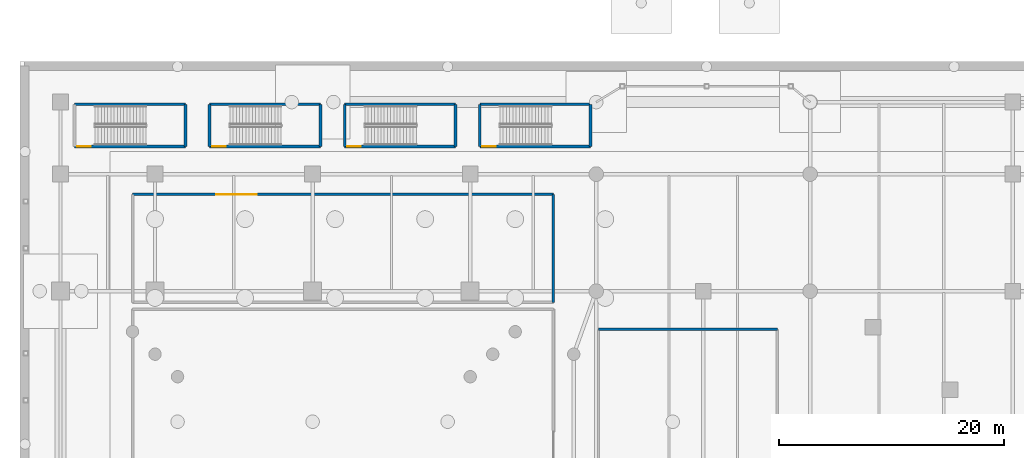
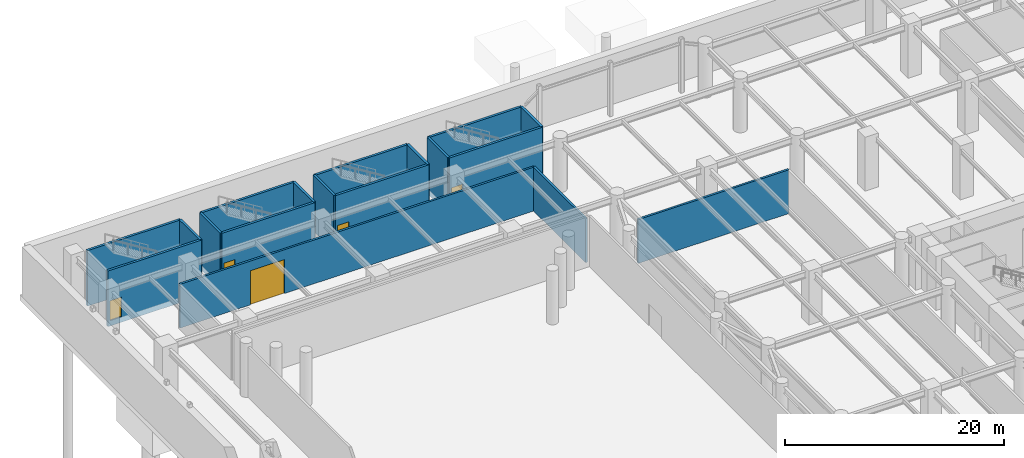
# One storey, part 23 of 37: 18 walls, 5 doors, 5 openings.
"""IFC4 building model written with IfcOpenShell, lengths in metres."""

from ifc_helpers import new_model, si_unit, direction, frame, frame_2d, origin, place, context, subcontext, project, spatial, rectangle, extrude, material, layer, layer_set, type_object, element, fill, save


model = new_model("IFC4")

# Units and contexts
model_context = context("Model", 3, precision=1e-05, world=origin(), true_north=direction((0.0, 1.0)))
body_context = subcontext(model_context, "Body", "Model", "MODEL_VIEW")
ifc_project = project(units=[si_unit("LENGTHUNIT", "METRE"), si_unit("AREAUNIT", "SQUARE_METRE"), si_unit("VOLUMEUNIT", "CUBIC_METRE"), si_unit("PLANEANGLEUNIT", "RADIAN"), si_unit("MASSUNIT", "GRAM", prefix="KILO")], contexts=[model_context])

# Site, building, storey
site_placement = place(None, origin())
site = spatial("IfcSite", under=ifc_project, at=site_placement, CompositionType="ELEMENT")
building_placement = place(site_placement, origin())
building = spatial("IfcBuilding", under=site, at=building_placement, Name="Narakoshi Arena Tower", CompositionType="ELEMENT")
storey_placement = place(building_placement, frame((0.0, 0.0, -6.0)))
storey = spatial("IfcBuildingStorey", under=building, at=storey_placement, Name="B01", CompositionType="ELEMENT", Elevation=-6.0)

# Wall
ifc_material_1 = material(Name="Concrete C40/50", Category="concrete")
ifc_layer_1 = layer(ifc_material_1, 0.219970703125)
ifc_layer_set_1 = layer_set([ifc_layer_1], Name="Concrete C40/50")
wall_type_1 = type_object("IfcWallType", Name="WL-COMP-220", PredefinedType="SOLIDWALL", material=ifc_layer_set_1)
wall_1_placement = place(storey_placement, frame((47.39990234375, 74.60009765625, 0.0), z_axis=(0.0, 0.0, 1.0), x_axis=(0.0, 1.0, 0.0)))
element("IfcWall", 1, at=wall_1_placement, inside=storey, type_object=wall_type_1, Name="B01 Event Loading Support and Rigging Store Wall E", PredefinedType="SOLIDWALL", context=body_context, shape_type="SweptSolid", body=[
    extrude(rectangle(XDim=9.599853515625, YDim=0.219970703125, at=frame_2d((4.7998046875, 0.0))), origin(), (0.0, 0.0, 1.0), 4.885009765625),
])

# Wall, opening, door
wall_2_placement = place(storey_placement, frame((47.39990234375, 84.199951171875, 0.0), z_axis=(0.0, 0.0, 1.0), x_axis=(-1.0, 0.0, 0.0)))
wall_2 = element("IfcWall", 2, at=wall_2_placement, inside=storey, type_object=wall_type_1, Name="B01 Event Loading Support and Rigging Store Wall N", PredefinedType="SOLIDWALL", context=body_context, shape_type="SweptSolid", body=[
    extrude(rectangle(XDim=37.39990234375, YDim=0.219970703125, at=frame_2d((18.699951171875, 0.0))), origin(), (0.0, 0.0, 1.0), 4.885009765625),
])
opening_1_placement = place(wall_2_placement, frame((26.364013671875, 0.0, 0.0)))
opening_1 = element("IfcOpeningElement", 3, at=opening_1_placement, cuts=wall_2, Name="Opening D-14", PredefinedType="OPENING", context=body_context, shape_type="SweptSolid", body=[
    extrude(rectangle(XDim=3.60009765625, YDim=3.800048828125, at=frame_2d((1.800048828125, 1.89990234375))), frame((0.0, 0.119873046875, 0.0), z_axis=(0.0, -1.0, 0.0), x_axis=(1.0, 0.0, 0.0)), (0.0, 0.0, 1.0), 0.239990234375),
])
ifc_material_2 = material(Name="Painted galvanized steel", Category="steel")
door_type_1 = type_object("IfcDoorType", Name="DR-SRV-3600", OperationType="ROLLINGUP", PredefinedType="GATE", material=ifc_material_2)
door_1_placement = place(opening_1_placement, frame((3.60009765625, 0.0, 0.0), z_axis=(0.0, 0.0, 1.0), x_axis=(-1.0, 0.0, 0.0)))
door_1 = element("IfcDoor", 4, at=door_1_placement, inside=storey, type_object=door_type_1, Name="DR-B01-027", OperationType="ROLLINGUP", OverallHeight=3.800048828125, OverallWidth=3.60009765625, PredefinedType="GATE", context=body_context, shape_type="SweptSolid", body=[
    extrude(rectangle(XDim=3.60009765625, YDim=3.800048828125, at=frame_2d((1.800048828125, 1.89990234375))), frame((0.0, 0.02490234375, 0.0), z_axis=(0.0, -1.0, 0.0), x_axis=(1.0, 0.0, 0.0)), (0.0, 0.0, 1.0), 0.050048828125),
])
fill(opening_1, door_1)

# Walls
wall_3_placement = place(storey_placement, frame((67.300048828125, 72.199951171875, 0.0), z_axis=(0.0, 0.0, 1.0), x_axis=(-1.0, 0.0, 0.0)))
element("IfcWall", 5, at=wall_3_placement, inside=storey, type_object=wall_type_1, Name="B01 Sub-Concourse MEP Equipment Plant Room Wall N", PredefinedType="SOLIDWALL", context=body_context, shape_type="SweptSolid", body=[
    extrude(rectangle(XDim=15.900146484375, YDim=0.219970703125, at=frame_2d((7.9501953125, 0.0))), origin(), (0.0, 0.0, 1.0), 4.885009765625),
])
ifc_material_3 = material(Name="Concrete C50/60", Category="concrete")
ifc_layer_2 = layer(ifc_material_3, 0.35009765625)
ifc_layer_set_2 = layer_set([ifc_layer_2], Name="Concrete C50/60")
wall_type_2 = type_object("IfcWallType", Name="WL-SHAFT-350", PredefinedType="SOLIDWALL", material=ifc_layer_set_2)
wall_4_placement = place(storey_placement, frame((14.699951171875, 88.449951171875, -0.60009765625), z_axis=(0.0, 0.0, 1.0), x_axis=(0.0, 1.0, 0.0)))
element("IfcWall", 6, at=wall_4_placement, inside=storey, type_object=wall_type_2, Name="B01 AST5 Enclosure Wall E", PredefinedType="SOLIDWALL", context=body_context, shape_type="SweptSolid", body=[
    extrude(rectangle(XDim=3.75, YDim=0.25, at=frame_2d((1.875, 0.0))), origin(), (0.0, 0.0, 1.0), 6.2001953125),
])
wall_5_placement = place(storey_placement, frame((4.85009765625, 92.199951171875, -0.60009765625), z_axis=(0.0, 0.0, 1.0), x_axis=(1.0, 0.0, 0.0)))
element("IfcWall", 7, at=wall_5_placement, inside=storey, type_object=wall_type_2, Name="B01 AST5 Enclosure Wall B", PredefinedType="SOLIDWALL", context=body_context, shape_type="SweptSolid", body=[
    extrude(rectangle(XDim=9.849853515625, YDim=0.25, at=frame_2d((4.9248046875, 0.0))), origin(), (0.0, 0.0, 1.0), 6.2001953125),
])

# Wall, opening, door
wall_6_placement = place(storey_placement, frame((4.85009765625, 88.449951171875, -0.60009765625), z_axis=(0.0, 0.0, 1.0), x_axis=(1.0, 0.0, 0.0)))
wall_6 = element("IfcWall", 8, at=wall_6_placement, inside=storey, type_object=wall_type_2, Name="B01 AST5 Landing Door Wall", PredefinedType="SOLIDWALL", context=body_context, shape_type="SweptSolid", body=[
    extrude(rectangle(XDim=9.849853515625, YDim=0.25, at=frame_2d((4.9248046875, 0.0))), origin(), (0.0, 0.0, 1.0), 6.2001953125),
])
opening_2_placement = place(wall_6_placement, frame((0.219970703125, 0.0, 0.60009765625)))
opening_2 = element("IfcOpeningElement", 9, at=opening_2_placement, cuts=wall_6, Name="Opening D-03", PredefinedType="OPENING", context=body_context, shape_type="SweptSolid", body=[
    extrude(rectangle(XDim=1.199951171875, YDim=2.199951171875, at=frame_2d((0.60009765625, 1.10009765625))), frame((0.0, 0.135009765625, 0.0), z_axis=(0.0, -1.0, 0.0), x_axis=(1.0, 0.0, 0.0)), (0.0, 0.0, 1.0), 0.27001953125),
])
door_type_2 = type_object("IfcDoorType", Name="DR-STR-1200", OperationType="NOTDEFINED", PredefinedType="USERDEFINED", material=ifc_material_2)
door_2_placement = place(opening_2_placement, origin())
door_2 = element("IfcDoor", 10, at=door_2_placement, inside=storey, type_object=door_type_2, Name="DR-B01-020", ObjectType="EXITDOOR", OperationType="SINGLE_SWING_LEFT", OverallHeight=2.199951171875, OverallWidth=1.199951171875, PredefinedType="USERDEFINED", context=body_context, shape_type="SweptSolid", body=[
    extrude(rectangle(XDim=1.199951171875, YDim=2.199951171875, at=frame_2d((0.60009765625, 1.10009765625))), frame((0.0, 0.02490234375, 0.0), z_axis=(0.0, -1.0, 0.0), x_axis=(1.0, 0.0, 0.0)), (0.0, 0.0, 1.0), 0.050048828125),
])
fill(opening_2, door_2)

# Walls
for number, where, z_axis, x_axis, name in (
    (11, (16.85009765625, 88.449951171875, -0.60009765625), (0.0, 0.0, 1.0), (0.0, 1.0, 0.0), "B01 AST6 Enclosure Wall W"),
    (12, (26.699951171875, 88.449951171875, -0.60009765625), (0.0, 0.0, 1.0), (0.0, 1.0, 0.0), "B01 AST6 Enclosure Wall E"),
):
    element("IfcWall", number, at=place(storey_placement, frame(where, z_axis=z_axis, x_axis=x_axis)), inside=storey, type_object=wall_type_2, Name=name, PredefinedType="SOLIDWALL", context=body_context, shape_type="SweptSolid", body=[
        extrude(rectangle(XDim=3.75, YDim=0.25, at=frame_2d((1.875, 0.0))), origin(), (0.0, 0.0, 1.0), 6.2001953125),
    ])
wall_7_placement = place(storey_placement, frame((16.85009765625, 92.199951171875, -0.60009765625), z_axis=(0.0, 0.0, 1.0), x_axis=(1.0, 0.0, 0.0)))
element("IfcWall", 13, at=wall_7_placement, inside=storey, type_object=wall_type_2, Name="B01 AST6 Enclosure Wall B", PredefinedType="SOLIDWALL", context=body_context, shape_type="SweptSolid", body=[
    extrude(rectangle(XDim=9.849853515625, YDim=0.25, at=frame_2d((4.9248046875, 0.0))), origin(), (0.0, 0.0, 1.0), 6.2001953125),
])

# Wall, opening, door
wall_8_placement = place(storey_placement, frame((16.85009765625, 88.449951171875, -0.60009765625), z_axis=(0.0, 0.0, 1.0), x_axis=(1.0, 0.0, 0.0)))
wall_8 = element("IfcWall", 14, at=wall_8_placement, inside=storey, type_object=wall_type_2, Name="B01 AST6 Landing Door Wall", PredefinedType="SOLIDWALL", context=body_context, shape_type="SweptSolid", body=[
    extrude(rectangle(XDim=9.849853515625, YDim=0.25, at=frame_2d((4.9248046875, 0.0))), origin(), (0.0, 0.0, 1.0), 6.2001953125),
])
opening_3_placement = place(wall_8_placement, frame((0.219970703125, 0.0, 0.60009765625)))
opening_3 = element("IfcOpeningElement", 15, at=opening_3_placement, cuts=wall_8, Name="Opening D-03", PredefinedType="OPENING", context=body_context, shape_type="SweptSolid", body=[
    extrude(rectangle(XDim=1.199951171875, YDim=2.199951171875, at=frame_2d((0.60009765625, 1.10009765625))), frame((0.0, 0.135009765625, 0.0), z_axis=(0.0, -1.0, 0.0), x_axis=(1.0, 0.0, 0.0)), (0.0, 0.0, 1.0), 0.27001953125),
])
door_3_placement = place(opening_3_placement, origin())
door_3 = element("IfcDoor", 16, at=door_3_placement, inside=storey, type_object=door_type_2, Name="DR-B01-021", ObjectType="EXITDOOR", OperationType="SINGLE_SWING_RIGHT", OverallHeight=2.199951171875, OverallWidth=1.199951171875, PredefinedType="USERDEFINED", context=body_context, shape_type="SweptSolid", body=[
    extrude(rectangle(XDim=1.199951171875, YDim=2.199951171875, at=frame_2d((0.60009765625, 1.10009765625))), frame((0.0, 0.02490234375, 0.0), z_axis=(0.0, -1.0, 0.0), x_axis=(1.0, 0.0, 0.0)), (0.0, 0.0, 1.0), 0.050048828125),
])
fill(opening_3, door_3)

# Walls
for number, where, z_axis, x_axis, name in (
    (17, (28.85009765625, 88.449951171875, -0.60009765625), (0.0, 0.0, 1.0), (0.0, 1.0, 0.0), "B01 AST7 Enclosure Wall W"),
    (18, (38.699951171875, 88.449951171875, -0.60009765625), (0.0, 0.0, 1.0), (0.0, 1.0, 0.0), "B01 AST7 Enclosure Wall E"),
):
    element("IfcWall", number, at=place(storey_placement, frame(where, z_axis=z_axis, x_axis=x_axis)), inside=storey, type_object=wall_type_2, Name=name, PredefinedType="SOLIDWALL", context=body_context, shape_type="SweptSolid", body=[
        extrude(rectangle(XDim=3.75, YDim=0.25, at=frame_2d((1.875, 0.0))), origin(), (0.0, 0.0, 1.0), 6.2001953125),
    ])
wall_9_placement = place(storey_placement, frame((28.85009765625, 92.199951171875, -0.60009765625), z_axis=(0.0, 0.0, 1.0), x_axis=(1.0, 0.0, 0.0)))
element("IfcWall", 19, at=wall_9_placement, inside=storey, type_object=wall_type_2, Name="B01 AST7 Enclosure Wall B", PredefinedType="SOLIDWALL", context=body_context, shape_type="SweptSolid", body=[
    extrude(rectangle(XDim=9.849853515625, YDim=0.25, at=frame_2d((4.9248046875, 0.0))), origin(), (0.0, 0.0, 1.0), 6.2001953125),
])

# Wall, opening, door
wall_10_placement = place(storey_placement, frame((28.85009765625, 88.449951171875, -0.60009765625), z_axis=(0.0, 0.0, 1.0), x_axis=(1.0, 0.0, 0.0)))
wall_10 = element("IfcWall", 20, at=wall_10_placement, inside=storey, type_object=wall_type_2, Name="B01 AST7 Landing Door Wall", PredefinedType="SOLIDWALL", context=body_context, shape_type="SweptSolid", body=[
    extrude(rectangle(XDim=9.849853515625, YDim=0.25, at=frame_2d((4.9248046875, 0.0))), origin(), (0.0, 0.0, 1.0), 6.2001953125),
])
opening_4_placement = place(wall_10_placement, frame((0.219970703125, 0.0, 0.60009765625)))
opening_4 = element("IfcOpeningElement", 21, at=opening_4_placement, cuts=wall_10, Name="Opening D-03", PredefinedType="OPENING", context=body_context, shape_type="SweptSolid", body=[
    extrude(rectangle(XDim=1.199951171875, YDim=2.199951171875, at=frame_2d((0.60009765625, 1.10009765625))), frame((0.0, 0.135009765625, 0.0), z_axis=(0.0, -1.0, 0.0), x_axis=(1.0, 0.0, 0.0)), (0.0, 0.0, 1.0), 0.27001953125),
])
door_4_placement = place(opening_4_placement, origin())
door_4 = element("IfcDoor", 22, at=door_4_placement, inside=storey, type_object=door_type_2, Name="DR-B01-022", ObjectType="EXITDOOR", OperationType="SINGLE_SWING_LEFT", OverallHeight=2.199951171875, OverallWidth=1.199951171875, PredefinedType="USERDEFINED", context=body_context, shape_type="SweptSolid", body=[
    extrude(rectangle(XDim=1.199951171875, YDim=2.199951171875, at=frame_2d((0.60009765625, 1.10009765625))), frame((0.0, 0.02490234375, 0.0), z_axis=(0.0, -1.0, 0.0), x_axis=(1.0, 0.0, 0.0)), (0.0, 0.0, 1.0), 0.050048828125),
])
fill(opening_4, door_4)

# Walls
for number, where, z_axis, x_axis, name in (
    (23, (40.85009765625, 88.449951171875, -0.60009765625), (0.0, 0.0, 1.0), (0.0, 1.0, 0.0), "B01 AST8 Enclosure Wall W"),
    (24, (50.699951171875, 88.449951171875, -0.60009765625), (0.0, 0.0, 1.0), (0.0, 1.0, 0.0), "B01 AST8 Enclosure Wall E"),
):
    element("IfcWall", number, at=place(storey_placement, frame(where, z_axis=z_axis, x_axis=x_axis)), inside=storey, type_object=wall_type_2, Name=name, PredefinedType="SOLIDWALL", context=body_context, shape_type="SweptSolid", body=[
        extrude(rectangle(XDim=3.75, YDim=0.25, at=frame_2d((1.875, 0.0))), origin(), (0.0, 0.0, 1.0), 6.2001953125),
    ])
wall_11_placement = place(storey_placement, frame((40.85009765625, 92.199951171875, -0.60009765625), z_axis=(0.0, 0.0, 1.0), x_axis=(1.0, 0.0, 0.0)))
element("IfcWall", 25, at=wall_11_placement, inside=storey, type_object=wall_type_2, Name="B01 AST8 Enclosure Wall B", PredefinedType="SOLIDWALL", context=body_context, shape_type="SweptSolid", body=[
    extrude(rectangle(XDim=9.849853515625, YDim=0.25, at=frame_2d((4.9248046875, 0.0))), origin(), (0.0, 0.0, 1.0), 6.2001953125),
])

# Wall, opening, door
wall_12_placement = place(storey_placement, frame((40.85009765625, 88.449951171875, -0.60009765625), z_axis=(0.0, 0.0, 1.0), x_axis=(1.0, 0.0, 0.0)))
wall_12 = element("IfcWall", 26, at=wall_12_placement, inside=storey, type_object=wall_type_2, Name="B01 AST8 Landing Door Wall", PredefinedType="SOLIDWALL", context=body_context, shape_type="SweptSolid", body=[
    extrude(rectangle(XDim=9.849853515625, YDim=0.25, at=frame_2d((4.9248046875, 0.0))), origin(), (0.0, 0.0, 1.0), 6.2001953125),
])
opening_5_placement = place(wall_12_placement, frame((0.219970703125, 0.0, 0.60009765625)))
opening_5 = element("IfcOpeningElement", 27, at=opening_5_placement, cuts=wall_12, Name="Opening D-03", PredefinedType="OPENING", context=body_context, shape_type="SweptSolid", body=[
    extrude(rectangle(XDim=1.199951171875, YDim=2.199951171875, at=frame_2d((0.60009765625, 1.10009765625))), frame((0.0, 0.135009765625, 0.0), z_axis=(0.0, -1.0, 0.0), x_axis=(1.0, 0.0, 0.0)), (0.0, 0.0, 1.0), 0.27001953125),
])
door_5_placement = place(opening_5_placement, origin())
door_5 = element("IfcDoor", 28, at=door_5_placement, inside=storey, type_object=door_type_2, Name="DR-B01-023", ObjectType="EXITDOOR", OperationType="SINGLE_SWING_RIGHT", OverallHeight=2.199951171875, OverallWidth=1.199951171875, PredefinedType="USERDEFINED", context=body_context, shape_type="SweptSolid", body=[
    extrude(rectangle(XDim=1.199951171875, YDim=2.199951171875, at=frame_2d((0.60009765625, 1.10009765625))), frame((0.0, 0.02490234375, 0.0), z_axis=(0.0, -1.0, 0.0), x_axis=(1.0, 0.0, 0.0)), (0.0, 0.0, 1.0), 0.050048828125),
])
fill(opening_5, door_5)

save(model, "model.ifc")
